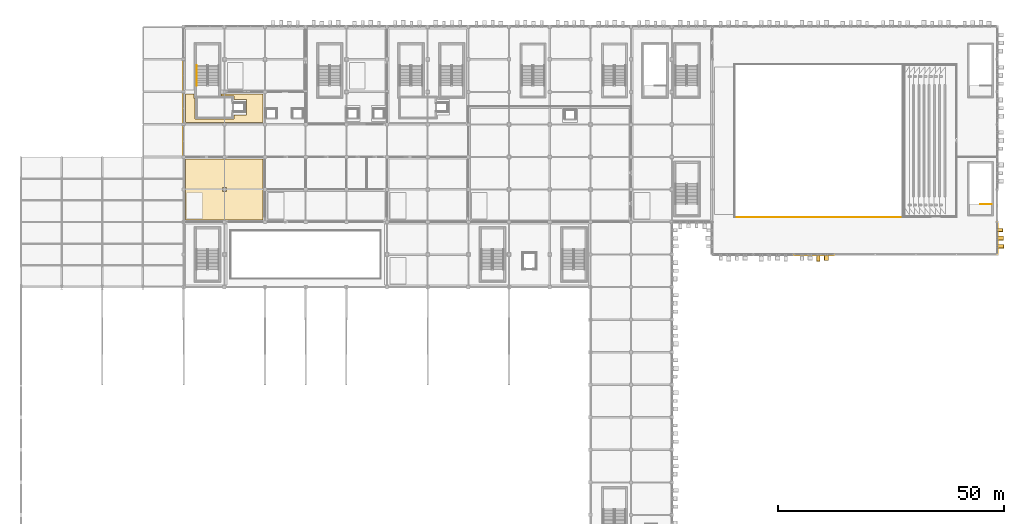
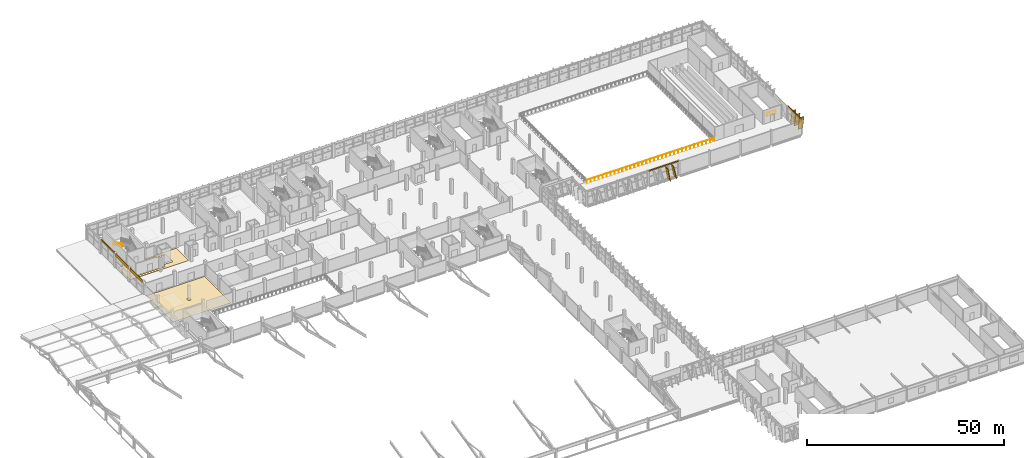
# One storey, part 138 of 151: 12 coverings, 5 shading devices, 3 railings.
"""IFC4 building model written with IfcOpenShell, lengths in metres."""

from ifc_helpers import new_model, si_unit, direction, frame, origin, origin_2d, place, context, subcontext, project, spatial, polyline, rectangle, circle, outline, extrude, material, layer, layer_set, material_profile, profile_set, type_object, element, save


model = new_model("IFC4")

# Units and contexts
model_context = context("Model", 3, precision=1e-05, world=origin(), true_north=direction((0.0, 1.0)))
body_context = subcontext(model_context, "Body", "Model", "MODEL_VIEW")
ifc_project = project(units=[si_unit("LENGTHUNIT", "METRE"), si_unit("AREAUNIT", "SQUARE_METRE"), si_unit("VOLUMEUNIT", "CUBIC_METRE"), si_unit("PLANEANGLEUNIT", "RADIAN"), si_unit("MASSUNIT", "GRAM", prefix="KILO")], contexts=[model_context])

# Site, building, storey
site_placement = place(None, origin())
site = spatial("IfcSite", under=ifc_project, at=site_placement, CompositionType="ELEMENT")
building_placement = place(site_placement, origin())
building = spatial("IfcBuilding", under=site, at=building_placement, Name="Celestram Park Convention Centre", CompositionType="ELEMENT")
storey_placement = place(building_placement, frame((0.0, 0.0, 10.800048828125)))
storey = spatial("IfcBuildingStorey", under=building, at=storey_placement, Name="L02", CompositionType="ELEMENT", Elevation=10.800048828125)

# Coverings
ifc_material_1 = material(Name="Anodised Bronze Aluminium Spandrel Cladding", Category="aluminium")
ifc_layer_1 = layer(ifc_material_1, 0.050048828125)
ifc_layer_set_1 = layer_set([ifc_layer_1], Name="Anodised Bronze Aluminium Spandrel Cladding")
covering_type_1 = type_object("IfcCoveringType", Name="ARC-COV-CLD060", PredefinedType="CLADDING", material=ifc_layer_set_1)
for number, where, z_axis, x_axis, name in (
    (1, (35.919921875, 140.39990234375, 3.64794921875), (0.0, 0.0, 1.0), (0.0, 1.0, 0.0), "Bronze spandrel cladding CL-L02-146"),
    (2, (35.919921875, 147.60009765625, 3.64794921875), (0.0, 0.0, 1.0), (0.0, 1.0, 0.0), "Bronze spandrel cladding CL-L02-147"),
):
    element("IfcCovering", number, at=place(storey_placement, frame(where, z_axis=z_axis, x_axis=x_axis)), inside=storey, type_object=covering_type_1, Name=name, PredefinedType="CLADDING", context=body_context, shape_type="SweptSolid", body=[
        extrude(rectangle(XDim=6.50390625, YDim=0.1201171875, at=origin_2d()), origin(), (0.0, 0.0, 1.0), 0.85205078125),
    ])
covering_1_placement = place(storey_placement, frame((35.919921875, 154.800048828125, 4.02001953125), z_axis=(0.0, 0.0, 1.0), x_axis=(0.0, 1.0, 0.0)))
element("IfcCovering", 3, at=covering_1_placement, inside=storey, type_object=covering_type_1, Name="Bronze spandrel cladding CL-L02-148", PredefinedType="CLADDING", context=body_context, shape_type="SweptSolid", body=[
    extrude(rectangle(XDim=6.50390625, YDim=0.1201171875, at=origin_2d()), origin(), (0.0, 0.0, 1.0), 0.47998046875),
])
covering_2_placement = place(storey_placement, frame((216.080078125, 118.800048828125, 4.1640625), z_axis=(0.0, 0.0, 1.0), x_axis=(0.0, -1.0, 0.0)))
element("IfcCovering", 4, at=covering_2_placement, inside=storey, type_object=covering_type_1, Name="Bronze spandrel cladding CL-L02-175", PredefinedType="CLADDING", context=body_context, shape_type="SweptSolid", body=[
    extrude(rectangle(XDim=6.803955078125, YDim=0.1201171875, at=origin_2d()), origin(), (0.0, 0.0, 1.0), 0.3359375),
])
covering_3_placement = place(storey_placement, frame((175.5, 115.1201171875, 4.1640625), z_axis=(0.0, 0.0, 1.0), x_axis=(-1.0, 0.0, 0.0)))
element("IfcCovering", 5, at=covering_3_placement, inside=storey, type_object=covering_type_1, Name="Bronze spandrel cladding CL-L02-176", PredefinedType="CLADDING", context=body_context, shape_type="SweptSolid", body=[
    extrude(rectangle(XDim=8.60400390625, YDim=0.1201171875, at=origin_2d()), origin(), (0.0, 0.0, 1.0), 0.3359375),
])
ifc_material_2 = material(Name="Timber-Toned Anodised Aluminium Alloy 6063-T6", Category="wood")
ifc_material_profile_1 = material_profile(ifc_material_2, rectangle(XDim=1.1201171875, YDim=0.090087890625, at=origin_2d()), Name="REED1120X90")
ifc_profile_set_1 = profile_set([ifc_material_profile_1], Name="Timber-Toned Anodised Aluminium Alloy 6063-T6")
covering_type_2 = type_object("IfcCoveringType", Name="ARC-COV-FIN1120", PredefinedType="CLADDING", material=ifc_profile_set_1)
covering_4_placement = place(storey_placement, frame((216.639892578125, 120.930419921875, 0.031494140625), z_axis=(0.0, -0.15986741885, 0.98713849504), x_axis=(1.0, 0.0, 0.0)))
element("IfcCovering", 6, at=covering_4_placement, inside=storey, type_object=covering_type_2, Name="Leaning timber-toned reed fin RFN-L02-0547", PredefinedType="CLADDING", context=body_context, shape_type="SweptSolid", body=[
    extrude(rectangle(XDim=1.1201171875, YDim=0.090087890625, at=origin_2d()), origin(), (0.0, 0.0, 1.0), 4.134033203125),
])
ifc_material_profile_2 = material_profile(ifc_material_2, rectangle(XDim=1.280029296875, YDim=0.090087890625, at=origin_2d()), Name="REED1280X90")
ifc_profile_set_2 = profile_set([ifc_material_profile_2], Name="Timber-Toned Anodised Aluminium Alloy 6063-T6")
covering_type_3 = type_object("IfcCoveringType", Name="ARC-COV-FIN1280", PredefinedType="CLADDING", material=ifc_profile_set_2)
for number, where, z_axis, x_axis, name in (
    (7, (216.719970703125, 119.2333984375, 0.05078125), (0.0, -0.209646045383, 0.977777344622), (1.0, 0.0, 0.0), "Leaning timber-toned reed fin RFN-L02-0548"),
    (8, (178.63330078125, 114.47998046875, 0.05078125), (-0.209646045383, 0.0, 0.977777344622), (0.0, -1.0, 0.0), "Leaning timber-toned reed fin RFN-L02-0550"),
):
    element("IfcCovering", number, at=place(storey_placement, frame(where, z_axis=z_axis, x_axis=x_axis)), inside=storey, type_object=covering_type_3, Name=name, PredefinedType="CLADDING", context=body_context, shape_type="SweptSolid", body=[
        extrude(rectangle(XDim=1.280029296875, YDim=0.090087890625, at=origin_2d()), origin(), (0.0, 0.0, 1.0), 4.134033203125),
    ])
ifc_material_profile_3 = material_profile(ifc_material_2, rectangle(XDim=1.419921875, YDim=0.090087890625, at=origin_2d()), Name="REED1420X90")
ifc_profile_set_3 = profile_set([ifc_material_profile_3], Name="Timber-Toned Anodised Aluminium Alloy 6063-T6")
covering_type_4 = type_object("IfcCoveringType", Name="ARC-COV-FIN1420", PredefinedType="CLADDING", material=ifc_profile_set_3)
for number, where, z_axis, x_axis, name in (
    (9, (216.7900390625, 117.373046875, 0.0390625), (0.0, -0.18048595118, 0.983577562486), (1.0, 0.0, 0.0), "Leaning timber-toned reed fin RFN-L02-0549"),
    (10, (176.773193359375, 114.409912109375, 0.0390625), (-0.180543085931, 0.0, 0.983567076575), (0.0, -1.0, 0.0), "Leaning timber-toned reed fin RFN-L02-0551"),
):
    element("IfcCovering", number, at=place(storey_placement, frame(where, z_axis=z_axis, x_axis=x_axis)), inside=storey, type_object=covering_type_4, Name=name, PredefinedType="CLADDING", context=body_context, shape_type="SweptSolid", body=[
        extrude(rectangle(XDim=1.419921875, YDim=0.090087890625, at=origin_2d()), origin(), (0.0, 0.0, 1.0), 4.1337890625),
    ])
ifc_material_3 = material(Name="Polished Lakefront Aggregate Terrazzo Flooring", Category="concrete")
ifc_layer_2 = layer(ifc_material_3, 0.02001953125)
ifc_layer_set_2 = layer_set([ifc_layer_2], Name="Polished Lakefront Aggregate Terrazzo Flooring")
covering_type_5 = type_object("IfcCoveringType", Name="ARC-COV-FLR020", PredefinedType="FLOORING", material=ifc_layer_set_2)
covering_5_placement = place(storey_placement, origin())
element("IfcCovering", 11, at=covering_5_placement, inside=storey, type_object=covering_type_5, Name="Symposium Hall 201 terrazzo flooring", PredefinedType="FLOORING", context=body_context, shape_type="SweptSolid", body=[
    extrude(outline(polyline([(53.550048828125, 136.35009765625), (53.550048828125, 122.85009765625), (36.449951171875, 122.85009765625), (36.449951171875, 136.35009765625), (53.550048828125, 136.35009765625)]), holes=[polyline([(45.427978515625, 130.028076171875), (44.572021484375, 130.028076171875), (44.572021484375, 129.172119140625), (45.427978515625, 129.172119140625), (45.427978515625, 130.028076171875)])]), origin(), (0.0, 0.0, 1.0), 0.02001953125),
])
covering_6_placement = place(storey_placement, origin())
element("IfcCovering", 12, at=covering_6_placement, inside=storey, type_object=covering_type_5, Name="North Elevator Lobby L02 terrazzo flooring", PredefinedType="FLOORING", context=body_context, shape_type="SweptSolid", body=[
    extrude(outline(polyline([(38.340087890625, 150.75), (38.340087890625, 149.699951171875), (38.489990234375, 149.699951171875), (38.489990234375, 145.14990234375), (47.1298828125, 145.14990234375), (47.1298828125, 146.050048828125), (49.85009765625, 146.050048828125), (49.85009765625, 149.550048828125), (47.1298828125, 149.550048828125), (47.1298828125, 150.25), (44.300048828125, 150.25), (44.300048828125, 150.75), (53.550048828125, 150.75), (53.550048828125, 144.449951171875), (36.449951171875, 144.449951171875), (36.449951171875, 150.75), (38.340087890625, 150.75)])), origin(), (0.0, 0.0, 1.0), 0.02001953125),
])

# Shading devices
ifc_material_4 = material(Name="Anodised Bronze Aluminium Alloy 6063-T6", Category="aluminium")
ifc_material_profile_4 = material_profile(ifc_material_4, rectangle(XDim=1.280029296875, YDim=0.080078125, at=origin_2d()), Name="FIN1280X80")
ifc_profile_set_4 = profile_set([ifc_material_profile_4], Name="Anodised Bronze Aluminium Alloy 6063-T6")
shading_device_type = type_object("IfcShadingDeviceType", Name="ARC-FIN-BZ1280", PredefinedType="USERDEFINED", material=ifc_profile_set_4)
for number, where, z_axis, x_axis, name in (
    (13, (216.639892578125, 120.930419921875, 0.031494140625), (0.0, -0.15986741885, 0.98713849504), (1.0, 0.0, 0.0), "Expressive solar fin FN-L02-0547"),
    (14, (216.719970703125, 119.2333984375, 0.05078125), (0.0, -0.209646045383, 0.977777344622), (1.0, 0.0, 0.0), "Expressive solar fin FN-L02-0548"),
):
    element("IfcShadingDevice", number, at=place(storey_placement, frame(where, z_axis=z_axis, x_axis=x_axis)), inside=storey, type_object=shading_device_type, Name=name, ObjectType="SOLAR_FIN", PredefinedType="USERDEFINED", context=body_context, shape_type="SweptSolid", body=[
        extrude(rectangle(XDim=1.280029296875, YDim=0.080078125, at=origin_2d()), origin(), (0.0, 0.0, 1.0), 4.134033203125),
    ])
shading_device_1_placement = place(storey_placement, frame((216.7900390625, 117.373046875, 0.0390625), z_axis=(0.0, -0.18048595118, 0.983577562486), x_axis=(1.0, 0.0, 0.0)))
element("IfcShadingDevice", 15, at=shading_device_1_placement, inside=storey, type_object=shading_device_type, Name="Expressive solar fin FN-L02-0549", ObjectType="SOLAR_FIN", PredefinedType="USERDEFINED", context=body_context, shape_type="SweptSolid", body=[
    extrude(rectangle(XDim=1.280029296875, YDim=0.080078125, at=origin_2d()), origin(), (0.0, 0.0, 1.0), 4.1337890625),
])
shading_device_2_placement = place(storey_placement, frame((178.63330078125, 114.47998046875, 0.05078125), z_axis=(-0.209646045383, 0.0, 0.977777344622), x_axis=(0.0, -1.0, 0.0)))
element("IfcShadingDevice", 16, at=shading_device_2_placement, inside=storey, type_object=shading_device_type, Name="Expressive solar fin FN-L02-0550", ObjectType="SOLAR_FIN", PredefinedType="USERDEFINED", context=body_context, shape_type="SweptSolid", body=[
    extrude(rectangle(XDim=1.280029296875, YDim=0.080078125, at=origin_2d()), origin(), (0.0, 0.0, 1.0), 4.134033203125),
])
shading_device_3_placement = place(storey_placement, frame((176.773193359375, 114.409912109375, 0.0390625), z_axis=(-0.180543085931, 0.0, 0.983567076575), x_axis=(0.0, -1.0, 0.0)))
element("IfcShadingDevice", 17, at=shading_device_3_placement, inside=storey, type_object=shading_device_type, Name="Expressive solar fin FN-L02-0551", ObjectType="SOLAR_FIN", PredefinedType="USERDEFINED", context=body_context, shape_type="SweptSolid", body=[
    extrude(rectangle(XDim=1.280029296875, YDim=0.080078125, at=origin_2d()), origin(), (0.0, 0.0, 1.0), 4.1337890625),
])

# Railings
ifc_material_5 = material(Name="Powder-Coated Steel ASTM A500 Grade B", Category="steel")
ifc_layer_3 = layer(ifc_material_5, 0.06005859375)
ifc_layer_set_3 = layer_set([ifc_layer_3], Name="Powder-Coated Steel ASTM A500 Grade B")
railing_type_1 = type_object("IfcRailingType", Name="ARC-RL-BAL1120", PredefinedType="BALUSTRADE", material=ifc_layer_set_3)
railing_1_placement = place(storey_placement, frame((157.8798828125, 123.47998046875, 0.0)))
element("IfcRailing", 18, at=railing_1_placement, inside=storey, type_object=railing_type_1, Name="Atrium/balcony balustrade RL-L02-VB027", PredefinedType="BALUSTRADE", context=body_context, shape_type="SweptSolid", body=[
    extrude(circle(Radius=0.02392578125, at=origin_2d()), frame((0.0, 0.0, 1.09619140625), z_axis=(1.0, 0.0, 0.0), x_axis=(0.0, 1.0, 0.0)), (0.0, 0.0, 1.0), 37.240234375),
    extrude(circle(Radius=0.02099609375, at=origin_2d()), origin(), (0.0, 0.0, 1.0), 1.072021484375),
    extrude(circle(Radius=0.02099609375, at=origin_2d()), frame((1.163818359375, 0.0, 0.0)), (0.0, 0.0, 1.0), 1.072021484375),
    extrude(circle(Radius=0.02099609375, at=origin_2d()), frame((2.32763671875, 0.0, 0.0)), (0.0, 0.0, 1.0), 1.072021484375),
    extrude(circle(Radius=0.02099609375, at=origin_2d()), frame((3.4912109375, 0.0, 0.0)), (0.0, 0.0, 1.0), 1.072021484375),
    extrude(circle(Radius=0.02099609375, at=origin_2d()), frame((4.655029296875, 0.0, 0.0)), (0.0, 0.0, 1.0), 1.072021484375),
    extrude(circle(Radius=0.02099609375, at=origin_2d()), frame((5.81884765625, 0.0, 0.0)), (0.0, 0.0, 1.0), 1.072021484375),
    extrude(circle(Radius=0.02099609375, at=origin_2d()), frame((6.982421875, 0.0, 0.0)), (0.0, 0.0, 1.0), 1.072021484375),
    extrude(circle(Radius=0.02099609375, at=origin_2d()), frame((8.146240234375, 0.0, 0.0)), (0.0, 0.0, 1.0), 1.072021484375),
    extrude(circle(Radius=0.02099609375, at=origin_2d()), frame((9.31005859375, 0.0, 0.0)), (0.0, 0.0, 1.0), 1.072021484375),
    extrude(circle(Radius=0.02099609375, at=origin_2d()), frame((10.473876953125, 0.0, 0.0)), (0.0, 0.0, 1.0), 1.072021484375),
    extrude(circle(Radius=0.02099609375, at=origin_2d()), frame((11.6376953125, 0.0, 0.0)), (0.0, 0.0, 1.0), 1.072021484375),
    extrude(circle(Radius=0.02099609375, at=origin_2d()), frame((12.80126953125, 0.0, 0.0)), (0.0, 0.0, 1.0), 1.072021484375),
    extrude(circle(Radius=0.02099609375, at=origin_2d()), frame((13.965087890625, 0.0, 0.0)), (0.0, 0.0, 1.0), 1.072021484375),
    extrude(circle(Radius=0.02099609375, at=origin_2d()), frame((15.12890625, 0.0, 0.0)), (0.0, 0.0, 1.0), 1.072021484375),
    extrude(circle(Radius=0.02099609375, at=origin_2d()), frame((16.29248046875, 0.0, 0.0)), (0.0, 0.0, 1.0), 1.072021484375),
    extrude(circle(Radius=0.02099609375, at=origin_2d()), frame((17.456298828125, 0.0, 0.0)), (0.0, 0.0, 1.0), 1.072021484375),
    extrude(circle(Radius=0.02099609375, at=origin_2d()), frame((18.6201171875, 0.0, 0.0)), (0.0, 0.0, 1.0), 1.072021484375),
    extrude(circle(Radius=0.02099609375, at=origin_2d()), frame((19.783935546875, 0.0, 0.0)), (0.0, 0.0, 1.0), 1.072021484375),
    extrude(circle(Radius=0.02099609375, at=origin_2d()), frame((20.94775390625, 0.0, 0.0)), (0.0, 0.0, 1.0), 1.072021484375),
    extrude(circle(Radius=0.02099609375, at=origin_2d()), frame((22.111328125, 0.0, 0.0)), (0.0, 0.0, 1.0), 1.072021484375),
    extrude(circle(Radius=0.02099609375, at=origin_2d()), frame((23.275146484375, 0.0, 0.0)), (0.0, 0.0, 1.0), 1.072021484375),
    extrude(circle(Radius=0.02099609375, at=origin_2d()), frame((24.43896484375, 0.0, 0.0)), (0.0, 0.0, 1.0), 1.072021484375),
    extrude(circle(Radius=0.02099609375, at=origin_2d()), frame((25.6025390625, 0.0, 0.0)), (0.0, 0.0, 1.0), 1.072021484375),
    extrude(circle(Radius=0.02099609375, at=origin_2d()), frame((26.766357421875, 0.0, 0.0)), (0.0, 0.0, 1.0), 1.072021484375),
    extrude(circle(Radius=0.02099609375, at=origin_2d()), frame((27.93017578125, 0.0, 0.0)), (0.0, 0.0, 1.0), 1.072021484375),
    extrude(circle(Radius=0.02099609375, at=origin_2d()), frame((29.093994140625, 0.0, 0.0)), (0.0, 0.0, 1.0), 1.072021484375),
    extrude(circle(Radius=0.02099609375, at=origin_2d()), frame((30.2578125, 0.0, 0.0)), (0.0, 0.0, 1.0), 1.072021484375),
    extrude(circle(Radius=0.02099609375, at=origin_2d()), frame((31.42138671875, 0.0, 0.0)), (0.0, 0.0, 1.0), 1.072021484375),
    extrude(circle(Radius=0.02099609375, at=origin_2d()), frame((32.585205078125, 0.0, 0.0)), (0.0, 0.0, 1.0), 1.072021484375),
    extrude(circle(Radius=0.02099609375, at=origin_2d()), frame((33.7490234375, 0.0, 0.0)), (0.0, 0.0, 1.0), 1.072021484375),
    extrude(circle(Radius=0.02099609375, at=origin_2d()), frame((34.91259765625, 0.0, 0.0)), (0.0, 0.0, 1.0), 1.072021484375),
    extrude(circle(Radius=0.02099609375, at=origin_2d()), frame((36.076416015625, 0.0, 0.0)), (0.0, 0.0, 1.0), 1.072021484375),
    extrude(circle(Radius=0.02099609375, at=origin_2d()), frame((37.240234375, 0.0, 0.0)), (0.0, 0.0, 1.0), 1.072021484375),
])
ifc_material_6 = material(Name="Stainless Steel AISI 316L & Laminated Glass", Category="steel")
ifc_layer_4 = layer(ifc_material_6, 0.06005859375)
ifc_layer_set_4 = layer_set([ifc_layer_4], Name="Stainless Steel AISI 316L & Laminated Glass")
railing_type_2 = type_object("IfcRailingType", Name="ARC-RL-GRD1120", PredefinedType="GUARDRAIL", material=ifc_layer_set_4)
railing_2_placement = place(storey_placement, frame((214.800048828125, 126.35009765625, 0.0)))
element("IfcRailing", 19, at=railing_2_placement, inside=storey, type_object=railing_type_2, Name="L02 ST-08 top well guard 1", PredefinedType="GUARDRAIL", context=body_context, shape_type="SweptSolid", body=[
    extrude(circle(Radius=0.02392578125, at=origin_2d()), frame((0.0, 0.0, 1.09619140625), z_axis=(-1.0, 0.0, 0.0), x_axis=(0.0, -1.0, 0.0)), (0.0, 0.0, 1.0), 2.56005859375),
    extrude(circle(Radius=0.02099609375, at=origin_2d()), origin(), (0.0, 0.0, 1.0), 1.072021484375),
    extrude(circle(Radius=0.02099609375, at=origin_2d()), frame((-0.853271484375, 0.0, 0.0)), (0.0, 0.0, 1.0), 1.072021484375),
    extrude(circle(Radius=0.02099609375, at=origin_2d()), frame((-1.706787109375, 0.0, 0.0)), (0.0, 0.0, 1.0), 1.072021484375),
    extrude(circle(Radius=0.02099609375, at=origin_2d()), frame((-2.56005859375, 0.0, 0.0)), (0.0, 0.0, 1.0), 1.072021484375),
])
ifc_material_7 = material(Name="Brushed Stainless Steel AISI 304", Category="steel")
ifc_layer_5 = layer(ifc_material_7, 0.048095703125)
ifc_layer_set_5 = layer_set([ifc_layer_5], Name="Brushed Stainless Steel AISI 304")
railing_type_3 = type_object("IfcRailingType", Name="ARC-RL-HND915", PredefinedType="HANDRAIL", material=ifc_layer_set_5)
railing_3_placement = place(storey_placement, frame((38.8759765625, 157.080078125, 2.39990234375)))
element("IfcRailing", 20, at=railing_3_placement, inside=storey, type_object=railing_type_3, Name="L02 ST-01 stair handrail 2", PredefinedType="HANDRAIL", context=body_context, shape_type="SweptSolid", body=[
    extrude(circle(Radius=0.02392578125, at=origin_2d()), frame((0.0, 0.0, 0.8759765625), z_axis=(0.0, -0.905450639465, 0.424451574969), x_axis=(1.0, 0.0, 0.0)), (0.0, 0.0, 1.0), 4.94775390625),
    extrude(circle(Radius=0.02099609375, at=origin_2d()), origin(), (0.0, 0.0, 1.0), 0.851806640625),
    extrude(circle(Radius=0.02099609375, at=origin_2d()), frame((0.0, -0.89599609375, 0.419921875)), (0.0, 0.0, 1.0), 0.851806640625),
    extrude(circle(Radius=0.02099609375, at=origin_2d()), frame((0.0, -1.7919921875, 0.840087890625)), (0.0, 0.0, 1.0), 0.851806640625),
    extrude(circle(Radius=0.02099609375, at=origin_2d()), frame((0.0, -2.68798828125, 1.260009765625)), (0.0, 0.0, 1.0), 0.851806640625),
    extrude(circle(Radius=0.02099609375, at=origin_2d()), frame((0.0, -3.583984375, 1.68017578125)), (0.0, 0.0, 1.0), 0.851806640625),
    extrude(circle(Radius=0.02099609375, at=origin_2d()), frame((0.0, -4.47998046875, 2.10009765625)), (0.0, 0.0, 1.0), 0.851806640625),
])

save(model, "model.ifc")
